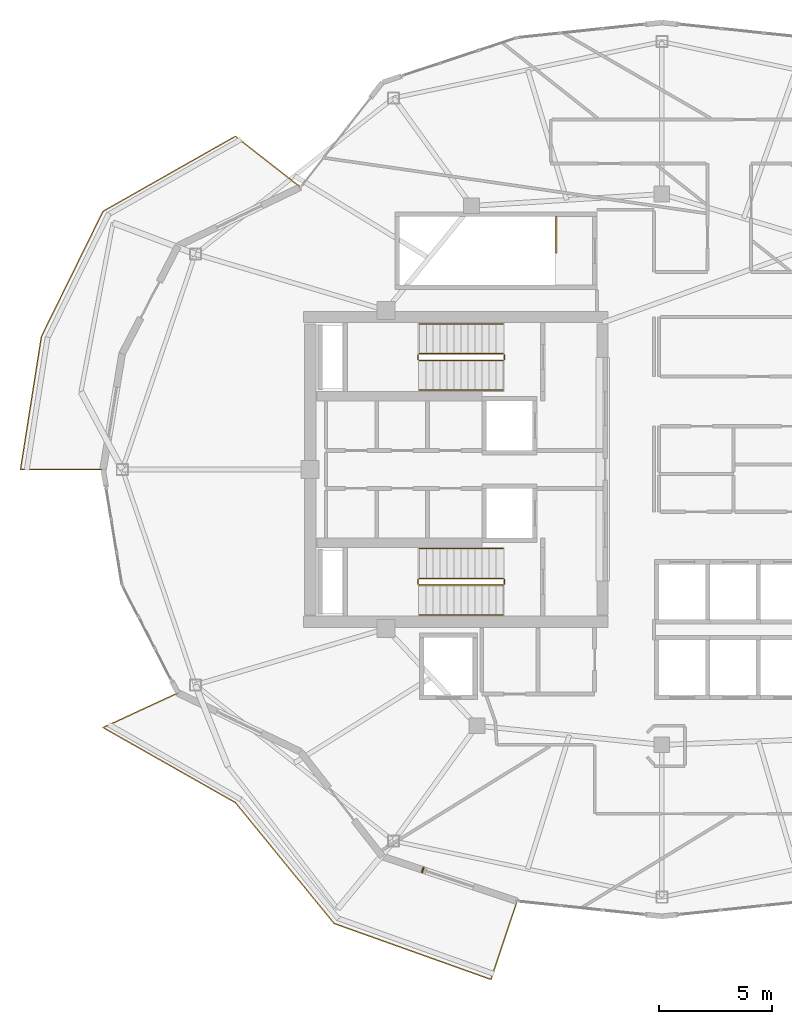
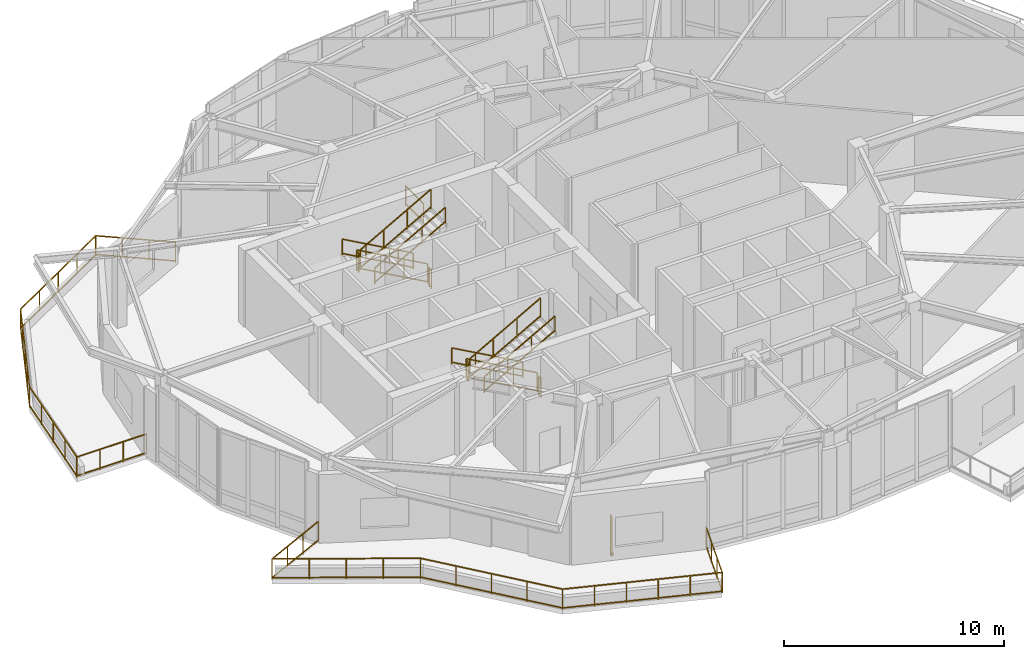
# One storey, part 14 of 15: 15 railings, 1 shading device.
"""IFC4 building model written with IfcOpenShell, lengths in metres."""

from ifc_helpers import new_model, si_unit, direction, frame, origin, origin_2d, place, context, subcontext, project, spatial, rectangle, extrude, material, type_object, element, save


model = new_model("IFC4")

# Units and contexts
model_context = context("Model", 3, precision=1e-05, world=origin(), true_north=direction((0.0, 1.0)))
body_context = subcontext(model_context, "Body", "Model", "MODEL_VIEW")
ifc_project = project(units=[si_unit("LENGTHUNIT", "METRE"), si_unit("AREAUNIT", "SQUARE_METRE"), si_unit("VOLUMEUNIT", "CUBIC_METRE"), si_unit("PLANEANGLEUNIT", "RADIAN"), si_unit("MASSUNIT", "GRAM", prefix="KILO")], contexts=[model_context])

# Site, building, storey
site_placement = place(None, origin())
site = spatial("IfcSite", under=ifc_project, at=site_placement, CompositionType="ELEMENT")
building_placement = place(site_placement, origin())
building = spatial("IfcBuilding", under=site, at=building_placement, Name="Kolvaren Gate Tower and Convention Centre", CompositionType="ELEMENT")
storey_placement = place(building_placement, frame((0.0, 0.0, 191.89990234375)))
storey = spatial("IfcBuildingStorey", under=building, at=storey_placement, Name="L50", CompositionType="ELEMENT", Elevation=191.89990234375)

# Railings
ifc_material_1 = material(Name="Brushed Stainless Steel Grade 316L", Category="steel")
railing_type_1 = type_object("IfcRailingType", Name="ARCH-RL-GUARD-1150", PredefinedType="GUARDRAIL", material=ifc_material_1)
railing_1_placement = place(storey_placement, frame((23.10009765625, 32.1298828125, 0.173095703125)))
element("IfcRailing", 1, at=railing_1_placement, inside=storey, type_object=railing_type_1, Name="L50 ST-T1 stair guard 1", PredefinedType="GUARDRAIL", context=body_context, shape_type="SweptSolid", body=[
    extrude(rectangle(XDim=0.048095703125, YDim=0.048095703125, at=origin_2d()), frame((0.0, 0.0, 1.076171875), z_axis=(-0.873147225507, 0.0, 0.487456585338), x_axis=(0.0, -1.0, 0.0)), (0.0, 0.0, 1.0), 4.2607421875),
    extrude(rectangle(XDim=0.048095703125, YDim=0.048095703125, at=origin_2d()), frame((0.0, 0.0, 0.083984375), z_axis=(-0.873147225507, 0.0, 0.487456585338), x_axis=(0.0, -1.0, 0.0)), (0.0, 0.0, 1.0), 4.2607421875),
    extrude(rectangle(XDim=0.0419921875, YDim=0.0419921875, at=origin_2d()), origin(), (0.0, 0.0, 1.0), 1.050048828125),
    extrude(rectangle(XDim=0.0419921875, YDim=0.0419921875, at=origin_2d()), frame((-3.72021484375, 0.0, 2.076904296875)), (0.0, 0.0, 1.0), 1.050048828125),
    extrude(rectangle(XDim=0.0419921875, YDim=0.0419921875, at=origin_2d()), frame((-1.239990234375, 0.0, 0.6923828125)), (0.0, 0.0, 1.0), 1.050048828125),
    extrude(rectangle(XDim=0.0419921875, YDim=0.0419921875, at=origin_2d()), frame((-2.480224609375, 0.0, 1.384521484375)), (0.0, 0.0, 1.0), 1.050048828125),
])
railing_2_placement = place(storey_placement, frame((19.330078125, 32.080078125, 2.25)))
element("IfcRailing", 2, at=railing_2_placement, inside=storey, type_object=railing_type_1, Name="L50 ST-T1 stair guard 2", PredefinedType="GUARDRAIL", context=body_context, shape_type="SweptSolid", body=[
    extrude(rectangle(XDim=0.048095703125, YDim=0.048095703125, at=origin_2d()), frame((0.0, 0.0, 1.076171875), z_axis=(0.0, -1.0, 0.0), x_axis=(1.0, 0.0, 0.0)), (0.0, 0.0, 1.0), 0.2001953125),
    extrude(rectangle(XDim=0.048095703125, YDim=0.048095703125, at=origin_2d()), frame((0.0, 0.0, 0.083984375), z_axis=(0.0, -1.0, 0.0), x_axis=(1.0, 0.0, 0.0)), (0.0, 0.0, 1.0), 0.2001953125),
    extrude(rectangle(XDim=0.0419921875, YDim=0.0419921875, at=origin_2d()), origin(), (0.0, 0.0, 1.0), 1.050048828125),
    extrude(rectangle(XDim=0.0419921875, YDim=0.0419921875, at=origin_2d()), frame((0.0, -0.2001953125, 0.0)), (0.0, 0.0, 1.0), 1.050048828125),
])
railing_3_placement = place(storey_placement, frame((19.3798828125, 31.830078125, 2.423095703125)))
element("IfcRailing", 3, at=railing_3_placement, inside=storey, type_object=railing_type_1, Name="L50 ST-T1 stair guard 3", PredefinedType="GUARDRAIL", context=body_context, shape_type="SweptSolid", body=[
    extrude(rectangle(XDim=0.048095703125, YDim=0.048095703125, at=origin_2d()), frame((0.0, 0.0, 1.076171875), z_axis=(0.873147225507, 0.0, 0.487456585338), x_axis=(0.0, 1.0, 0.0)), (0.0, 0.0, 1.0), 4.2607421875),
    extrude(rectangle(XDim=0.048095703125, YDim=0.048095703125, at=origin_2d()), frame((0.0, 0.0, 0.083984375), z_axis=(0.873147225507, 0.0, 0.487456585338), x_axis=(0.0, 1.0, 0.0)), (0.0, 0.0, 1.0), 4.2607421875),
    extrude(rectangle(XDim=0.0419921875, YDim=0.0419921875, at=origin_2d()), origin(), (0.0, 0.0, 1.0), 1.050048828125),
    extrude(rectangle(XDim=0.0419921875, YDim=0.0419921875, at=origin_2d()), frame((3.72021484375, 0.0, 2.076904296875)), (0.0, 0.0, 1.0), 1.050048828125),
    extrude(rectangle(XDim=0.0419921875, YDim=0.0419921875, at=origin_2d()), frame((1.239990234375, 0.0, 0.6923828125)), (0.0, 0.0, 1.0), 1.050048828125),
    extrude(rectangle(XDim=0.0419921875, YDim=0.0419921875, at=origin_2d()), frame((2.480224609375, 0.0, 1.384521484375)), (0.0, 0.0, 1.0), 1.050048828125),
])
railing_4_placement = place(storey_placement, frame((23.14990234375, 32.080078125, 0.0)))
element("IfcRailing", 4, at=railing_4_placement, inside=storey, type_object=railing_type_1, Name="L50 ST-T1 stair guard 4", PredefinedType="GUARDRAIL", context=body_context, shape_type="SweptSolid", body=[
    extrude(rectangle(XDim=0.048095703125, YDim=0.048095703125, at=origin_2d()), frame((0.0, 0.0, 1.076171875), z_axis=(0.0, -1.0, 0.0), x_axis=(1.0, 0.0, 0.0)), (0.0, 0.0, 1.0), 0.2001953125),
    extrude(rectangle(XDim=0.048095703125, YDim=0.048095703125, at=origin_2d()), frame((0.0, 0.0, 0.083984375), z_axis=(0.0, -1.0, 0.0), x_axis=(1.0, 0.0, 0.0)), (0.0, 0.0, 1.0), 0.2001953125),
    extrude(rectangle(XDim=0.0419921875, YDim=0.0419921875, at=origin_2d()), origin(), (0.0, 0.0, 1.0), 1.050048828125),
    extrude(rectangle(XDim=0.0419921875, YDim=0.0419921875, at=origin_2d()), frame((0.0, -0.2001953125, 0.0)), (0.0, 0.0, 1.0), 1.050048828125),
])
railing_5_placement = place(storey_placement, frame((23.10009765625, 22.169921875, 0.173095703125)))
element("IfcRailing", 5, at=railing_5_placement, inside=storey, type_object=railing_type_1, Name="L50 ST-T2 stair guard 1", PredefinedType="GUARDRAIL", context=body_context, shape_type="SweptSolid", body=[
    extrude(rectangle(XDim=0.048095703125, YDim=0.048095703125, at=origin_2d()), frame((0.0, 0.0, 1.076171875), z_axis=(-0.873147225507, 0.0, 0.487456585338), x_axis=(0.0, -1.0, 0.0)), (0.0, 0.0, 1.0), 4.2607421875),
    extrude(rectangle(XDim=0.048095703125, YDim=0.048095703125, at=origin_2d()), frame((0.0, 0.0, 0.083984375), z_axis=(-0.873147225507, 0.0, 0.487456585338), x_axis=(0.0, -1.0, 0.0)), (0.0, 0.0, 1.0), 4.2607421875),
    extrude(rectangle(XDim=0.0419921875, YDim=0.0419921875, at=origin_2d()), origin(), (0.0, 0.0, 1.0), 1.050048828125),
    extrude(rectangle(XDim=0.0419921875, YDim=0.0419921875, at=origin_2d()), frame((-3.72021484375, 0.0, 2.076904296875)), (0.0, 0.0, 1.0), 1.050048828125),
    extrude(rectangle(XDim=0.0419921875, YDim=0.0419921875, at=origin_2d()), frame((-1.239990234375, 0.0, 0.6923828125)), (0.0, 0.0, 1.0), 1.050048828125),
    extrude(rectangle(XDim=0.0419921875, YDim=0.0419921875, at=origin_2d()), frame((-2.480224609375, 0.0, 1.384521484375)), (0.0, 0.0, 1.0), 1.050048828125),
])
railing_6_placement = place(storey_placement, frame((19.330078125, 22.1201171875, 2.25)))
element("IfcRailing", 6, at=railing_6_placement, inside=storey, type_object=railing_type_1, Name="L50 ST-T2 stair guard 2", PredefinedType="GUARDRAIL", context=body_context, shape_type="SweptSolid", body=[
    extrude(rectangle(XDim=0.048095703125, YDim=0.048095703125, at=origin_2d()), frame((0.0, 0.0, 1.076171875), z_axis=(0.0, -1.0, 0.0), x_axis=(1.0, 0.0, 0.0)), (0.0, 0.0, 1.0), 0.2001953125),
    extrude(rectangle(XDim=0.048095703125, YDim=0.048095703125, at=origin_2d()), frame((0.0, 0.0, 0.083984375), z_axis=(0.0, -1.0, 0.0), x_axis=(1.0, 0.0, 0.0)), (0.0, 0.0, 1.0), 0.2001953125),
    extrude(rectangle(XDim=0.0419921875, YDim=0.0419921875, at=origin_2d()), origin(), (0.0, 0.0, 1.0), 1.050048828125),
    extrude(rectangle(XDim=0.0419921875, YDim=0.0419921875, at=origin_2d()), frame((0.0, -0.2001953125, 0.0)), (0.0, 0.0, 1.0), 1.050048828125),
])
railing_7_placement = place(storey_placement, frame((19.3798828125, 21.8701171875, 2.423095703125)))
element("IfcRailing", 7, at=railing_7_placement, inside=storey, type_object=railing_type_1, Name="L50 ST-T2 stair guard 3", PredefinedType="GUARDRAIL", context=body_context, shape_type="SweptSolid", body=[
    extrude(rectangle(XDim=0.048095703125, YDim=0.048095703125, at=origin_2d()), frame((0.0, 0.0, 1.076171875), z_axis=(0.873147225507, 0.0, 0.487456585338), x_axis=(0.0, 1.0, 0.0)), (0.0, 0.0, 1.0), 4.2607421875),
    extrude(rectangle(XDim=0.048095703125, YDim=0.048095703125, at=origin_2d()), frame((0.0, 0.0, 0.083984375), z_axis=(0.873147225507, 0.0, 0.487456585338), x_axis=(0.0, 1.0, 0.0)), (0.0, 0.0, 1.0), 4.2607421875),
    extrude(rectangle(XDim=0.0419921875, YDim=0.0419921875, at=origin_2d()), origin(), (0.0, 0.0, 1.0), 1.050048828125),
    extrude(rectangle(XDim=0.0419921875, YDim=0.0419921875, at=origin_2d()), frame((3.72021484375, 0.0, 2.076904296875)), (0.0, 0.0, 1.0), 1.050048828125),
    extrude(rectangle(XDim=0.0419921875, YDim=0.0419921875, at=origin_2d()), frame((1.239990234375, 0.0, 0.6923828125)), (0.0, 0.0, 1.0), 1.050048828125),
    extrude(rectangle(XDim=0.0419921875, YDim=0.0419921875, at=origin_2d()), frame((2.480224609375, 0.0, 1.384521484375)), (0.0, 0.0, 1.0), 1.050048828125),
])
railing_8_placement = place(storey_placement, frame((23.14990234375, 22.1201171875, 0.0)))
element("IfcRailing", 8, at=railing_8_placement, inside=storey, type_object=railing_type_1, Name="L50 ST-T2 stair guard 4", PredefinedType="GUARDRAIL", context=body_context, shape_type="SweptSolid", body=[
    extrude(rectangle(XDim=0.048095703125, YDim=0.048095703125, at=origin_2d()), frame((0.0, 0.0, 1.076171875), z_axis=(0.0, -1.0, 0.0), x_axis=(1.0, 0.0, 0.0)), (0.0, 0.0, 1.0), 0.2001953125),
    extrude(rectangle(XDim=0.048095703125, YDim=0.048095703125, at=origin_2d()), frame((0.0, 0.0, 0.083984375), z_axis=(0.0, -1.0, 0.0), x_axis=(1.0, 0.0, 0.0)), (0.0, 0.0, 1.0), 0.2001953125),
    extrude(rectangle(XDim=0.0419921875, YDim=0.0419921875, at=origin_2d()), origin(), (0.0, 0.0, 1.0), 1.050048828125),
    extrude(rectangle(XDim=0.0419921875, YDim=0.0419921875, at=origin_2d()), frame((0.0, -0.2001953125, 0.0)), (0.0, 0.0, 1.0), 1.050048828125),
])
railing_9_placement = place(storey_placement, frame((25.449951171875, 38.199951171875, 0.0)))
element("IfcRailing", 9, at=railing_9_placement, inside=storey, type_object=railing_type_1, Name="L50 ST-T3 top well guard 1", PredefinedType="GUARDRAIL", context=body_context, shape_type="SweptSolid", body=[
    extrude(rectangle(XDim=0.048095703125, YDim=0.048095703125, at=origin_2d()), frame((0.0, 0.0, 1.076171875), z_axis=(0.0, -1.0, 0.0), x_axis=(1.0, 0.0, 0.0)), (0.0, 0.0, 1.0), 1.619873046875),
    extrude(rectangle(XDim=0.048095703125, YDim=0.048095703125, at=origin_2d()), frame((0.0, 0.0, 0.083984375), z_axis=(0.0, -1.0, 0.0), x_axis=(1.0, 0.0, 0.0)), (0.0, 0.0, 1.0), 1.619873046875),
    extrude(rectangle(XDim=0.0419921875, YDim=0.0419921875, at=origin_2d()), origin(), (0.0, 0.0, 1.0), 1.050048828125),
    extrude(rectangle(XDim=0.0419921875, YDim=0.0419921875, at=origin_2d()), frame((0.0, -1.619873046875, 0.0)), (0.0, 0.0, 1.0), 1.050048828125),
])
railing_10_placement = place(storey_placement, frame((14.117431640625, 39.50732421875, 0.0)))
element("IfcRailing", 10, at=railing_10_placement, inside=storey, type_object=railing_type_1, Name="Tower L50 Terrace Perimeter Guardrail GR-2", PredefinedType="GUARDRAIL", context=body_context, shape_type="SweptSolid", body=[
    extrude(rectangle(XDim=0.048095703125, YDim=0.048095703125, at=origin_2d()), frame((-0.022216796875, 0.017333984375, 1.1259765625), z_axis=(-0.787988976981, 0.61568934712, 0.0), x_axis=(-0.61568934712, -0.787988976981, 0.0)), (0.0, 0.0, 1.0), 3.60400390625),
    extrude(rectangle(XDim=0.048095703125, YDim=0.048095703125, at=origin_2d()), frame((-0.022216796875, 0.017333984375, 0.083984375), z_axis=(-0.787988976981, 0.61568934712, 0.0), x_axis=(-0.61568934712, -0.787988976981, 0.0)), (0.0, 0.0, 1.0), 3.60400390625),
    extrude(rectangle(XDim=0.048095703125, YDim=0.048095703125, at=origin_2d()), frame((-2.908447265625, 2.239501953125, 1.1259765625), z_axis=(-0.869876155964, -0.493270182846, 0.0), x_axis=(0.493270182846, -0.869876155964, 0.0)), (0.0, 0.0, 1.0), 6.6865234375),
    extrude(rectangle(XDim=0.048095703125, YDim=0.048095703125, at=origin_2d()), frame((-2.908447265625, 2.239501953125, 0.083984375), z_axis=(-0.869876155964, -0.493270182846, 0.0), x_axis=(0.493270182846, -0.869876155964, 0.0)), (0.0, 0.0, 1.0), 6.6865234375),
    extrude(rectangle(XDim=0.048095703125, YDim=0.048095703125, at=origin_2d()), frame((-8.76171875, -1.09765625, 1.1259765625), z_axis=(-0.441625304244, -0.897199582396, 0.0), x_axis=(0.897199582396, -0.441625304244, 0.0)), (0.0, 0.0, 1.0), 6.122314453125),
    extrude(rectangle(XDim=0.048095703125, YDim=0.048095703125, at=origin_2d()), frame((-8.76171875, -1.09765625, 0.083984375), z_axis=(-0.441625304244, -0.897199582396, 0.0), x_axis=(0.897199582396, -0.441625304244, 0.0)), (0.0, 0.0, 1.0), 6.122314453125),
    extrude(rectangle(XDim=0.048095703125, YDim=0.048095703125, at=origin_2d()), frame((-11.482177734375, -6.643310546875, 1.1259765625), z_axis=(-0.155031225865, -0.987909570258, 0.0), x_axis=(0.987909570258, -0.155031225865, 0.0)), (0.0, 0.0, 1.0), 5.90771484375),
    extrude(rectangle(XDim=0.048095703125, YDim=0.048095703125, at=origin_2d()), frame((-11.482177734375, -6.643310546875, 0.083984375), z_axis=(-0.155031225865, -0.987909570258, 0.0), x_axis=(0.987909570258, -0.155031225865, 0.0)), (0.0, 0.0, 1.0), 5.90771484375),
    extrude(rectangle(XDim=0.048095703125, YDim=0.048095703125, at=origin_2d()), frame((-12.374267578125, -12.50732421875, 1.1259765625), z_axis=(1.0, 0.0, 0.0), x_axis=(0.0, 1.0, 0.0)), (0.0, 0.0, 1.0), 3.603759765625),
    extrude(rectangle(XDim=0.048095703125, YDim=0.048095703125, at=origin_2d()), frame((-12.374267578125, -12.50732421875, 0.083984375), z_axis=(1.0, 0.0, 0.0), x_axis=(0.0, 1.0, 0.0)), (0.0, 0.0, 1.0), 3.603759765625),
    extrude(rectangle(XDim=0.0419921875, YDim=0.0419921875, at=origin_2d()), origin(), (0.0, 0.0, 1.0), 1.14990234375),
    extrude(rectangle(XDim=0.0419921875, YDim=0.0419921875, at=origin_2d()), frame((-2.884033203125, 2.25341796875, 0.0)), (0.0, 0.0, 1.0), 1.14990234375),
    extrude(rectangle(XDim=0.0419921875, YDim=0.0419921875, at=origin_2d()), frame((-0.96142578125, 0.751220703125, 0.0)), (0.0, 0.0, 1.0), 1.099853515625),
    extrude(rectangle(XDim=0.0419921875, YDim=0.0419921875, at=origin_2d()), frame((-1.922607421875, 1.502197265625, 0.0)), (0.0, 0.0, 1.0), 1.099853515625),
    extrude(rectangle(XDim=0.0419921875, YDim=0.0419921875, at=origin_2d()), frame((-8.749267578125, -1.072509765625, 0.0)), (0.0, 0.0, 1.0), 1.14990234375),
    extrude(rectangle(XDim=0.0419921875, YDim=0.0419921875, at=origin_2d()), frame((-4.350341796875, 1.421875, 0.0)), (0.0, 0.0, 1.0), 1.099853515625),
    extrude(rectangle(XDim=0.0419921875, YDim=0.0419921875, at=origin_2d()), frame((-5.816650390625, 0.59033203125, 0.0)), (0.0, 0.0, 1.0), 1.099853515625),
    extrude(rectangle(XDim=0.0419921875, YDim=0.0419921875, at=origin_2d()), frame((-7.282958984375, -0.240966796875, 0.0)), (0.0, 0.0, 1.0), 1.099853515625),
    extrude(rectangle(XDim=0.0419921875, YDim=0.0419921875, at=origin_2d()), frame((-11.477783203125, -6.61572265625, 0.0)), (0.0, 0.0, 1.0), 1.14990234375),
    extrude(rectangle(XDim=0.0419921875, YDim=0.0419921875, at=origin_2d()), frame((-9.431396484375, -2.458251953125, 0.0)), (0.0, 0.0, 1.0), 1.099853515625),
    extrude(rectangle(XDim=0.0419921875, YDim=0.0419921875, at=origin_2d()), frame((-10.113525390625, -3.84423828125, 0.0)), (0.0, 0.0, 1.0), 1.099853515625),
    extrude(rectangle(XDim=0.0419921875, YDim=0.0419921875, at=origin_2d()), frame((-10.795654296875, -5.22998046875, 0.0)), (0.0, 0.0, 1.0), 1.099853515625),
    extrude(rectangle(XDim=0.0419921875, YDim=0.0419921875, at=origin_2d()), frame((-12.40234375, -12.50732421875, 0.0)), (0.0, 0.0, 1.0), 1.14990234375),
    extrude(rectangle(XDim=0.0419921875, YDim=0.0419921875, at=origin_2d()), frame((-11.708984375, -8.088623046875, 0.0)), (0.0, 0.0, 1.0), 1.099853515625),
    extrude(rectangle(XDim=0.0419921875, YDim=0.0419921875, at=origin_2d()), frame((-11.93994140625, -9.5615234375, 0.0)), (0.0, 0.0, 1.0), 1.099853515625),
    extrude(rectangle(XDim=0.0419921875, YDim=0.0419921875, at=origin_2d()), frame((-12.171142578125, -11.034423828125, 0.0)), (0.0, 0.0, 1.0), 1.099853515625),
    extrude(rectangle(XDim=0.0419921875, YDim=0.0419921875, at=origin_2d()), frame((-8.742431640625, -12.50732421875, 0.0)), (0.0, 0.0, 1.0), 1.14990234375),
    extrude(rectangle(XDim=0.0419921875, YDim=0.0419921875, at=origin_2d()), frame((-11.182373046875, -12.50732421875, 0.0)), (0.0, 0.0, 1.0), 1.099853515625),
    extrude(rectangle(XDim=0.0419921875, YDim=0.0419921875, at=origin_2d()), frame((-9.96240234375, -12.50732421875, 0.0)), (0.0, 0.0, 1.0), 1.099853515625),
])
railing_11_placement = place(storey_placement, frame((8.69091796875, 17.10009765625, 0.0)))
element("IfcRailing", 11, at=railing_11_placement, inside=storey, type_object=railing_type_1, Name="Tower L50 Terrace Perimeter Guardrail GR-3", PredefinedType="GUARDRAIL", context=body_context, shape_type="SweptSolid", body=[
    extrude(rectangle(XDim=0.048095703125, YDim=0.048095703125, at=origin_2d()), frame((-0.025390625, -0.01171875, 1.1259765625), z_axis=(-0.907820723829, -0.419358478377, 0.0), x_axis=(0.419358478377, -0.907820723829, 0.0)), (0.0, 0.0, 1.0), 3.60400390625),
    extrude(rectangle(XDim=0.048095703125, YDim=0.048095703125, at=origin_2d()), frame((-0.025390625, -0.01171875, 0.083984375), z_axis=(-0.907820723829, -0.419358478377, 0.0), x_axis=(0.419358478377, -0.907820723829, 0.0)), (0.0, 0.0, 1.0), 3.60400390625),
    extrude(rectangle(XDim=0.048095703125, YDim=0.048095703125, at=origin_2d()), frame((-3.29833984375, -1.548828125, 1.1259765625), z_axis=(0.869876155964, -0.493270182846, 0.0), x_axis=(0.493270182846, 0.869876155964, 0.0)), (0.0, 0.0, 1.0), 6.6865234375),
    extrude(rectangle(XDim=0.048095703125, YDim=0.048095703125, at=origin_2d()), frame((-3.29833984375, -1.548828125, 0.083984375), z_axis=(0.869876155964, -0.493270182846, 0.0), x_axis=(0.493270182846, 0.869876155964, 0.0)), (0.0, 0.0, 1.0), 6.6865234375),
    extrude(rectangle(XDim=0.048095703125, YDim=0.048095703125, at=origin_2d()), frame((2.560302734375, -4.882568359375, 1.1259765625), z_axis=(0.632718487063, -0.77438189295, 0.0), x_axis=(0.77438189295, 0.632718487063, 0.0)), (0.0, 0.0, 1.0), 6.858154296875),
    extrude(rectangle(XDim=0.048095703125, YDim=0.048095703125, at=origin_2d()), frame((2.560302734375, -4.882568359375, 0.083984375), z_axis=(0.632718487063, -0.77438189295, 0.0), x_axis=(0.77438189295, 0.632718487063, 0.0)), (0.0, 0.0, 1.0), 6.858154296875),
    extrude(rectangle(XDim=0.048095703125, YDim=0.048095703125, at=origin_2d()), frame((6.943603515625, -10.224609375, 1.1259765625), z_axis=(0.941783827204, -0.336219010197, 0.0), x_axis=(0.336219010197, 0.941783827204, 0.0)), (0.0, 0.0, 1.0), 7.322265625),
    extrude(rectangle(XDim=0.048095703125, YDim=0.048095703125, at=origin_2d()), frame((6.943603515625, -10.224609375, 0.083984375), z_axis=(0.941783827204, -0.336219010197, 0.0), x_axis=(0.336219010197, 0.941783827204, 0.0)), (0.0, 0.0, 1.0), 7.322265625),
    extrude(rectangle(XDim=0.048095703125, YDim=0.048095703125, at=origin_2d()), frame((13.874755859375, -12.669189453125, 1.1259765625), z_axis=(0.317588247294, 0.948228719867, 0.0), x_axis=(-0.948228719867, 0.317588247294, 0.0)), (0.0, 0.0, 1.0), 3.603759765625),
    extrude(rectangle(XDim=0.048095703125, YDim=0.048095703125, at=origin_2d()), frame((13.874755859375, -12.669189453125, 0.083984375), z_axis=(0.317588247294, 0.948228719867, 0.0), x_axis=(-0.948228719867, 0.317588247294, 0.0)), (0.0, 0.0, 1.0), 3.603759765625),
    extrude(rectangle(XDim=0.0419921875, YDim=0.0419921875, at=origin_2d()), origin(), (0.0, 0.0, 1.0), 1.14990234375),
    extrude(rectangle(XDim=0.0419921875, YDim=0.0419921875, at=origin_2d()), frame((-3.32275390625, -1.534912109375, 0.0)), (0.0, 0.0, 1.0), 1.14990234375),
    extrude(rectangle(XDim=0.0419921875, YDim=0.0419921875, at=origin_2d()), frame((-1.107666015625, -0.51171875, 0.0)), (0.0, 0.0, 1.0), 1.099853515625),
    extrude(rectangle(XDim=0.0419921875, YDim=0.0419921875, at=origin_2d()), frame((-2.215087890625, -1.023193359375, 0.0)), (0.0, 0.0, 1.0), 1.099853515625),
    extrude(rectangle(XDim=0.0419921875, YDim=0.0419921875, at=origin_2d()), frame((2.54248046875, -4.86083984375, 0.0)), (0.0, 0.0, 1.0), 1.14990234375),
    extrude(rectangle(XDim=0.0419921875, YDim=0.0419921875, at=origin_2d()), frame((-1.8564453125, -2.366455078125, 0.0)), (0.0, 0.0, 1.0), 1.099853515625),
    extrude(rectangle(XDim=0.0419921875, YDim=0.0419921875, at=origin_2d()), frame((-0.39013671875, -3.19775390625, 0.0)), (0.0, 0.0, 1.0), 1.099853515625),
    extrude(rectangle(XDim=0.0419921875, YDim=0.0419921875, at=origin_2d()), frame((1.076171875, -4.029296875, 0.0)), (0.0, 0.0, 1.0), 1.099853515625),
    extrude(rectangle(XDim=0.0419921875, YDim=0.0419921875, at=origin_2d()), frame((6.917236328125, -10.215087890625, 0.0)), (0.0, 0.0, 1.0), 1.14990234375),
    extrude(rectangle(XDim=0.0419921875, YDim=0.0419921875, at=origin_2d()), frame((3.63623046875, -6.199462890625, 0.0)), (0.0, 0.0, 1.0), 1.099853515625),
    extrude(rectangle(XDim=0.0419921875, YDim=0.0419921875, at=origin_2d()), frame((4.72998046875, -7.5380859375, 0.0)), (0.0, 0.0, 1.0), 1.099853515625),
    extrude(rectangle(XDim=0.0419921875, YDim=0.0419921875, at=origin_2d()), frame((5.823486328125, -8.87646484375, 0.0)), (0.0, 0.0, 1.0), 1.099853515625),
    extrude(rectangle(XDim=0.0419921875, YDim=0.0419921875, at=origin_2d()), frame((13.865966796875, -12.69580078125, 0.0)), (0.0, 0.0, 1.0), 1.14990234375),
    extrude(rectangle(XDim=0.0419921875, YDim=0.0419921875, at=origin_2d()), frame((8.306884765625, -10.711181640625, 0.0)), (0.0, 0.0, 1.0), 1.099853515625),
    extrude(rectangle(XDim=0.0419921875, YDim=0.0419921875, at=origin_2d()), frame((9.69677734375, -11.207275390625, 0.0)), (0.0, 0.0, 1.0), 1.099853515625),
    extrude(rectangle(XDim=0.0419921875, YDim=0.0419921875, at=origin_2d()), frame((11.08642578125, -11.70361328125, 0.0)), (0.0, 0.0, 1.0), 1.099853515625),
    extrude(rectangle(XDim=0.0419921875, YDim=0.0419921875, at=origin_2d()), frame((12.476318359375, -12.19970703125, 0.0)), (0.0, 0.0, 1.0), 1.099853515625),
    extrude(rectangle(XDim=0.0419921875, YDim=0.0419921875, at=origin_2d()), frame((15.0283203125, -9.225341796875, 0.0)), (0.0, 0.0, 1.0), 1.14990234375),
    extrude(rectangle(XDim=0.0419921875, YDim=0.0419921875, at=origin_2d()), frame((14.25341796875, -11.5390625, 0.0)), (0.0, 0.0, 1.0), 1.099853515625),
    extrude(rectangle(XDim=0.0419921875, YDim=0.0419921875, at=origin_2d()), frame((14.640869140625, -10.382080078125, 0.0)), (0.0, 0.0, 1.0), 1.099853515625),
])
railing_type_2 = type_object("IfcRailingType", Name="ARCH-RL-HANDRAIL-920", PredefinedType="HANDRAIL", material=ifc_material_1)
railing_12_placement = place(storey_placement, frame((23.10009765625, 33.449951171875, 0.173095703125)))
element("IfcRailing", 12, at=railing_12_placement, inside=storey, type_object=railing_type_2, Name="L50 ST-T1 stair handrail 1", PredefinedType="HANDRAIL", context=body_context, shape_type="SweptSolid", body=[
    extrude(rectangle(XDim=0.048095703125, YDim=0.048095703125, at=origin_2d()), frame((0.0, 0.0, 0.8759765625), z_axis=(-0.873147225507, 0.0, 0.487456585338), x_axis=(0.0, -1.0, 0.0)), (0.0, 0.0, 1.0), 4.2607421875),
    extrude(rectangle(XDim=0.048095703125, YDim=0.048095703125, at=origin_2d()), frame((0.0, 0.0, 0.083984375), z_axis=(-0.873147225507, 0.0, 0.487456585338), x_axis=(0.0, -1.0, 0.0)), (0.0, 0.0, 1.0), 4.2607421875),
    extrude(rectangle(XDim=0.0419921875, YDim=0.0419921875, at=origin_2d()), origin(), (0.0, 0.0, 1.0), 0.849853515625),
    extrude(rectangle(XDim=0.0419921875, YDim=0.0419921875, at=origin_2d()), frame((-3.72021484375, 0.0, 2.076904296875)), (0.0, 0.0, 1.0), 0.849853515625),
    extrude(rectangle(XDim=0.0419921875, YDim=0.0419921875, at=origin_2d()), frame((-1.239990234375, 0.0, 0.6923828125)), (0.0, 0.0, 1.0), 0.849853515625),
    extrude(rectangle(XDim=0.0419921875, YDim=0.0419921875, at=origin_2d()), frame((-2.480224609375, 0.0, 1.384521484375)), (0.0, 0.0, 1.0), 0.849853515625),
])
railing_13_placement = place(storey_placement, frame((19.3798828125, 30.510009765625, 2.423095703125)))
element("IfcRailing", 13, at=railing_13_placement, inside=storey, type_object=railing_type_2, Name="L50 ST-T1 stair handrail 2", PredefinedType="HANDRAIL", context=body_context, shape_type="SweptSolid", body=[
    extrude(rectangle(XDim=0.048095703125, YDim=0.048095703125, at=origin_2d()), frame((0.0, 0.0, 0.8759765625), z_axis=(0.873147225507, 0.0, 0.487456585338), x_axis=(0.0, 1.0, 0.0)), (0.0, 0.0, 1.0), 4.2607421875),
    extrude(rectangle(XDim=0.048095703125, YDim=0.048095703125, at=origin_2d()), frame((0.0, 0.0, 0.083984375), z_axis=(0.873147225507, 0.0, 0.487456585338), x_axis=(0.0, 1.0, 0.0)), (0.0, 0.0, 1.0), 4.2607421875),
    extrude(rectangle(XDim=0.0419921875, YDim=0.0419921875, at=origin_2d()), origin(), (0.0, 0.0, 1.0), 0.849853515625),
    extrude(rectangle(XDim=0.0419921875, YDim=0.0419921875, at=origin_2d()), frame((3.72021484375, 0.0, 2.076904296875)), (0.0, 0.0, 1.0), 0.849853515625),
    extrude(rectangle(XDim=0.0419921875, YDim=0.0419921875, at=origin_2d()), frame((1.239990234375, 0.0, 0.6923828125)), (0.0, 0.0, 1.0), 0.849853515625),
    extrude(rectangle(XDim=0.0419921875, YDim=0.0419921875, at=origin_2d()), frame((2.480224609375, 0.0, 1.384521484375)), (0.0, 0.0, 1.0), 0.849853515625),
])
railing_14_placement = place(storey_placement, frame((23.10009765625, 23.489990234375, 0.173095703125)))
element("IfcRailing", 14, at=railing_14_placement, inside=storey, type_object=railing_type_2, Name="L50 ST-T2 stair handrail 1", PredefinedType="HANDRAIL", context=body_context, shape_type="SweptSolid", body=[
    extrude(rectangle(XDim=0.048095703125, YDim=0.048095703125, at=origin_2d()), frame((0.0, 0.0, 0.8759765625), z_axis=(-0.873147225507, 0.0, 0.487456585338), x_axis=(0.0, -1.0, 0.0)), (0.0, 0.0, 1.0), 4.2607421875),
    extrude(rectangle(XDim=0.048095703125, YDim=0.048095703125, at=origin_2d()), frame((0.0, 0.0, 0.083984375), z_axis=(-0.873147225507, 0.0, 0.487456585338), x_axis=(0.0, -1.0, 0.0)), (0.0, 0.0, 1.0), 4.2607421875),
    extrude(rectangle(XDim=0.0419921875, YDim=0.0419921875, at=origin_2d()), origin(), (0.0, 0.0, 1.0), 0.849853515625),
    extrude(rectangle(XDim=0.0419921875, YDim=0.0419921875, at=origin_2d()), frame((-3.72021484375, 0.0, 2.076904296875)), (0.0, 0.0, 1.0), 0.849853515625),
    extrude(rectangle(XDim=0.0419921875, YDim=0.0419921875, at=origin_2d()), frame((-1.239990234375, 0.0, 0.6923828125)), (0.0, 0.0, 1.0), 0.849853515625),
    extrude(rectangle(XDim=0.0419921875, YDim=0.0419921875, at=origin_2d()), frame((-2.480224609375, 0.0, 1.384521484375)), (0.0, 0.0, 1.0), 0.849853515625),
])
railing_15_placement = place(storey_placement, frame((19.3798828125, 20.550048828125, 2.423095703125)))
element("IfcRailing", 15, at=railing_15_placement, inside=storey, type_object=railing_type_2, Name="L50 ST-T2 stair handrail 2", PredefinedType="HANDRAIL", context=body_context, shape_type="SweptSolid", body=[
    extrude(rectangle(XDim=0.048095703125, YDim=0.048095703125, at=origin_2d()), frame((0.0, 0.0, 0.8759765625), z_axis=(0.873147225507, 0.0, 0.487456585338), x_axis=(0.0, 1.0, 0.0)), (0.0, 0.0, 1.0), 4.2607421875),
    extrude(rectangle(XDim=0.048095703125, YDim=0.048095703125, at=origin_2d()), frame((0.0, 0.0, 0.083984375), z_axis=(0.873147225507, 0.0, 0.487456585338), x_axis=(0.0, 1.0, 0.0)), (0.0, 0.0, 1.0), 4.2607421875),
    extrude(rectangle(XDim=0.0419921875, YDim=0.0419921875, at=origin_2d()), origin(), (0.0, 0.0, 1.0), 0.849853515625),
    extrude(rectangle(XDim=0.0419921875, YDim=0.0419921875, at=origin_2d()), frame((3.72021484375, 0.0, 2.076904296875)), (0.0, 0.0, 1.0), 0.849853515625),
    extrude(rectangle(XDim=0.0419921875, YDim=0.0419921875, at=origin_2d()), frame((1.239990234375, 0.0, 0.6923828125)), (0.0, 0.0, 1.0), 0.849853515625),
    extrude(rectangle(XDim=0.0419921875, YDim=0.0419921875, at=origin_2d()), frame((2.480224609375, 0.0, 1.384521484375)), (0.0, 0.0, 1.0), 0.849853515625),
])

# Shading device
ifc_material_2 = material(Name="Kiln-Fired Bogota Terracotta Ceramic Louvre Profile", Category="masonry")
shading_device_type = type_object("IfcShadingDeviceType", Name="ARCH-SHD-FIN-180", PredefinedType="JALOUSIE", material=ifc_material_2)
shading_device_placement = place(storey_placement, frame((19.538330078125, 9.260009765625, 0.22021484375), z_axis=(0.0, 0.0, 1.0), x_axis=(0.949241728595, -0.314547517385, 0.0)))
element("IfcShadingDevice", 16, at=shading_device_placement, inside=storey, type_object=shading_device_type, Name="Ceramic Vertical Brise-Soleil Fin FN-L50-16", PredefinedType="JALOUSIE", context=body_context, shape_type="SweptSolid", body=[
    extrude(rectangle(XDim=0.06005859375, YDim=0.239990234375, at=origin_2d()), origin(), (0.0, 0.0, 1.0), 2.14990234375),
])

save(model, "model.ifc")
